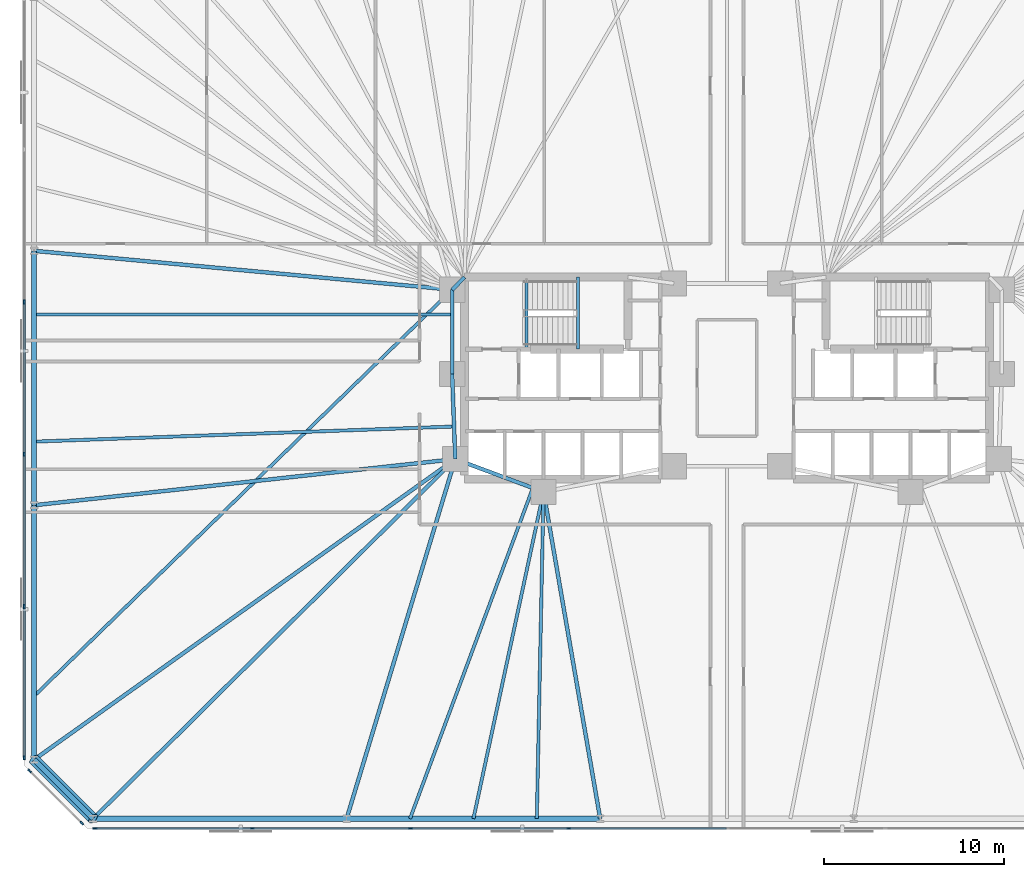
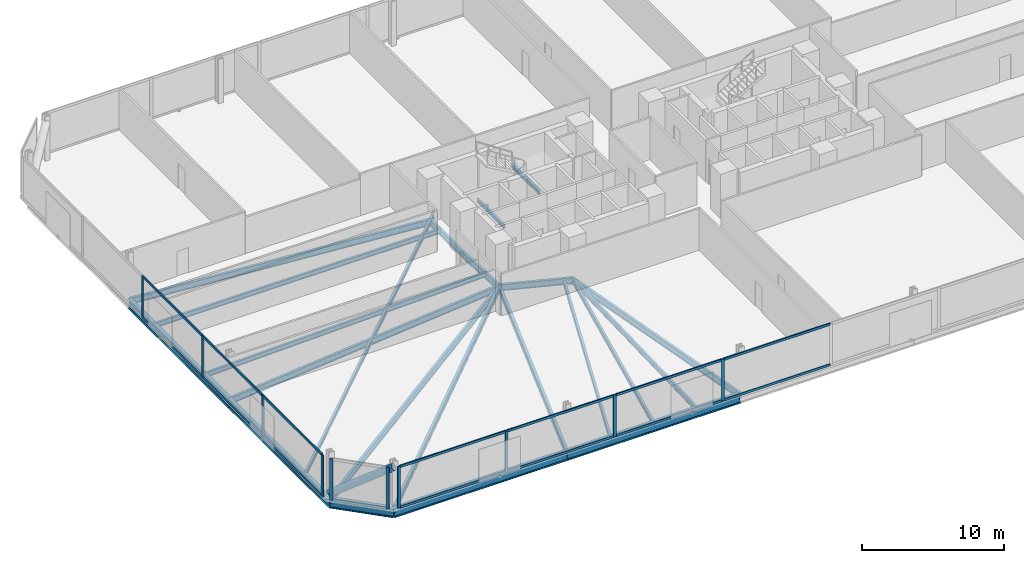
# One storey, part 6 of 16: 25 members, 23 beams, 3 elements without a shape of their own.
"""IFC4 building model written with IfcOpenShell, lengths in metres."""

from ifc_helpers import new_model, si_unit, direction, frame, origin, origin_2d, place, context, subcontext, project, spatial, rectangle, hollow_circle, i_section, extrude, material, material_profile, profile_set, type_object, element, aggregate, save


model = new_model("IFC4")

# Units and contexts
model_context = context("Model", 3, precision=1e-05, world=origin(), true_north=direction((0.0, 1.0)))
body_context = subcontext(model_context, "Body", "Model", "MODEL_VIEW")
ifc_project = project(units=[si_unit("LENGTHUNIT", "METRE"), si_unit("AREAUNIT", "SQUARE_METRE"), si_unit("VOLUMEUNIT", "CUBIC_METRE"), si_unit("PLANEANGLEUNIT", "RADIAN"), si_unit("MASSUNIT", "GRAM", prefix="KILO")], contexts=[model_context])

# Site, building, storey
site_placement = place(None, origin())
site = spatial("IfcSite", under=ifc_project, at=site_placement, CompositionType="ELEMENT")
building_placement = place(site_placement, origin())
building = spatial("IfcBuilding", under=site, at=building_placement, Name="Menara Jurai Vektor", CompositionType="ELEMENT")
storey_placement = place(building_placement, frame((0.0, 0.0, 59.800048828125)))
storey = spatial("IfcBuildingStorey", under=building, at=storey_placement, Name="L14", CompositionType="ELEMENT", Elevation=59.800048828125)

# Curtain wall, members
ifc_material_1 = material(Name="Anodised Pale Aluminium & Low-E Double Glazing", Category="aluminium")
curtain_wall_type = type_object("IfcCurtainWallType", Name="CW-BLK1", PredefinedType="NOTDEFINED", material=ifc_material_1)
curtain_wall_1_placement = place(storey_placement, origin())
curtain_wall_1 = element("IfcCurtainWall", 1, at=curtain_wall_1_placement, inside=storey, type_object=curtain_wall_type, Name="Unitised Curtain Wall L14 F01", PredefinedType="NOTDEFINED")
ifc_material_2 = material(Name="Anodised Pale Aluminium Mullion", Category="aluminium")
ifc_material_profile_1 = material_profile(ifc_material_2, rectangle(XDim=0.094970703125, YDim=0.239990234375, at=origin_2d()), Name="ALU MUL 95x240")
ifc_profile_set_1 = profile_set([ifc_material_profile_1], Name="Anodised Pale Aluminium Mullion")
member_type_1 = type_object("IfcMemberType", Name="CW-BLK1-MUL", PredefinedType="MULLION", material=ifc_profile_set_1)
member_1_placement = place(storey_placement, frame((-35.072509765625, -25.0, 0.0), z_axis=(0.0, 0.0, 1.0), x_axis=(0.0, 1.0, 0.0)))
member_1 = element("IfcMember", 2, at=member_1_placement, type_object=member_type_1, Name="CW-01 mullion 1", PredefinedType="MULLION", context=body_context, shape_type="SweptSolid", body=[
    extrude(rectangle(XDim=0.094970703125, YDim=0.239990234375, at=origin_2d()), origin(), (0.0, 0.0, 1.0), 3.574951171875),
])
member_2_placement = place(storey_placement, frame((-26.340087890625, -25.0, 0.0), z_axis=(0.0, 0.0, 1.0), x_axis=(0.0, 1.0, 0.0)))
member_2 = element("IfcMember", 3, at=member_2_placement, type_object=member_type_1, Name="CW-01 mullion 2", PredefinedType="MULLION", context=body_context, shape_type="SweptSolid", body=[
    extrude(rectangle(XDim=0.094970703125, YDim=0.239990234375, at=origin_2d()), origin(), (0.0, 0.0, 1.0), 3.574951171875),
])
member_3_placement = place(storey_placement, frame((-17.56005859375, -25.0, 0.0), z_axis=(0.0, 0.0, 1.0), x_axis=(0.0, 1.0, 0.0)))
member_3 = element("IfcMember", 4, at=member_3_placement, type_object=member_type_1, Name="CW-01 mullion 3", PredefinedType="MULLION", context=body_context, shape_type="SweptSolid", body=[
    extrude(rectangle(XDim=0.094970703125, YDim=0.239990234375, at=origin_2d()), origin(), (0.0, 0.0, 1.0), 3.574951171875),
])
member_4_placement = place(storey_placement, frame((-8.780029296875, -25.0, 0.0), z_axis=(0.0, 0.0, 1.0), x_axis=(0.0, 1.0, 0.0)))
member_4 = element("IfcMember", 5, at=member_4_placement, type_object=member_type_1, Name="CW-01 mullion 4", PredefinedType="MULLION", context=body_context, shape_type="SweptSolid", body=[
    extrude(rectangle(XDim=0.094970703125, YDim=0.239990234375, at=origin_2d()), origin(), (0.0, 0.0, 1.0), 3.574951171875),
])

curtain_wall_2_placement = place(storey_placement, origin())
curtain_wall_2 = element("IfcCurtainWall", 6, at=curtain_wall_2_placement, inside=storey, type_object=curtain_wall_type, Name="Unitised Curtain Wall L14 F07", PredefinedType="NOTDEFINED")
member_5_placement = place(storey_placement, frame((-39.0, 4.22412109375, 0.0), z_axis=(0.0, 0.0, 1.0), x_axis=(1.0, 0.0, 0.0)))
member_5 = element("IfcMember", 7, at=member_5_placement, type_object=member_type_1, Name="CW-01 mullion 3", PredefinedType="MULLION", context=body_context, shape_type="SweptSolid", body=[
    extrude(rectangle(XDim=0.094970703125, YDim=0.239990234375, at=origin_2d()), origin(), (0.0, 0.0, 1.0), 3.574951171875),
])
member_6_placement = place(storey_placement, frame((-39.0, -4.22412109375, 0.0), z_axis=(0.0, 0.0, 1.0), x_axis=(1.0, 0.0, 0.0)))
member_6 = element("IfcMember", 8, at=member_6_placement, type_object=member_type_1, Name="CW-01 mullion 4", PredefinedType="MULLION", context=body_context, shape_type="SweptSolid", body=[
    extrude(rectangle(XDim=0.094970703125, YDim=0.239990234375, at=origin_2d()), origin(), (0.0, 0.0, 1.0), 3.574951171875),
])
member_7_placement = place(storey_placement, frame((-39.0, -12.672119140625, 0.0), z_axis=(0.0, 0.0, 1.0), x_axis=(1.0, 0.0, 0.0)))
member_7 = element("IfcMember", 9, at=member_7_placement, type_object=member_type_1, Name="CW-01 mullion 5", PredefinedType="MULLION", context=body_context, shape_type="SweptSolid", body=[
    extrude(rectangle(XDim=0.094970703125, YDim=0.239990234375, at=origin_2d()), origin(), (0.0, 0.0, 1.0), 3.574951171875),
])
member_8_placement = place(storey_placement, frame((-39.0, -21.072509765625, 0.0), z_axis=(0.0, 0.0, 1.0), x_axis=(1.0, 0.0, 0.0)))
member_8 = element("IfcMember", 10, at=member_8_placement, type_object=member_type_1, Name="CW-01 mullion 6", PredefinedType="MULLION", context=body_context, shape_type="SweptSolid", body=[
    extrude(rectangle(XDim=0.094970703125, YDim=0.239990234375, at=origin_2d()), origin(), (0.0, 0.0, 1.0), 3.574951171875),
])

curtain_wall_3_placement = place(storey_placement, origin())
curtain_wall_3 = element("IfcCurtainWall", 11, at=curtain_wall_3_placement, inside=storey, type_object=curtain_wall_type, Name="Unitised Curtain Wall L14 F08", PredefinedType="NOTDEFINED")
member_9_placement = place(storey_placement, frame((-38.69775390625, -21.80224609375, 0.0), z_axis=(0.0, 0.0, 1.0), x_axis=(0.707106781187, 0.707106781187, 0.0)))
member_9 = element("IfcMember", 12, at=member_9_placement, type_object=member_type_1, Name="CW-01 mullion 1", PredefinedType="MULLION", context=body_context, shape_type="SweptSolid", body=[
    extrude(rectangle(XDim=0.094970703125, YDim=0.239990234375, at=origin_2d()), origin(), (0.0, 0.0, 1.0), 3.574951171875),
])
member_10_placement = place(storey_placement, frame((-35.80224609375, -24.69775390625, 0.0), z_axis=(0.0, 0.0, 1.0), x_axis=(0.707106781187, 0.707106781187, 0.0)))
member_10 = element("IfcMember", 13, at=member_10_placement, type_object=member_type_1, Name="CW-01 mullion 2", PredefinedType="MULLION", context=body_context, shape_type="SweptSolid", body=[
    extrude(rectangle(XDim=0.094970703125, YDim=0.239990234375, at=origin_2d()), origin(), (0.0, 0.0, 1.0), 3.574951171875),
])
aggregate(curtain_wall_3, [member_9, member_10])

# Member
ifc_material_3 = material(Name="Anodised Pale Aluminium Transom", Category="aluminium")
ifc_material_profile_2 = material_profile(ifc_material_3, rectangle(XDim=0.094970703125, YDim=0.199951171875, at=origin_2d()), Name="ALU TRN 95x200")
ifc_profile_set_2 = profile_set([ifc_material_profile_2], Name="Anodised Pale Aluminium Transom")
member_type_2 = type_object("IfcMemberType", Name="CW-BLK1-TRN", PredefinedType="USERDEFINED", material=ifc_profile_set_2)
member_11_placement = place(storey_placement, frame((-35.02490234375, -25.0, 0.04736328125), z_axis=(1.0, 0.0, 0.0), x_axis=(0.0, 1.0, 0.0)))
member_11 = element("IfcMember", 14, at=member_11_placement, type_object=member_type_2, Name="CW-01 transom 1.1", ObjectType="TRANSOM", PredefinedType="USERDEFINED", context=body_context, shape_type="SweptSolid", body=[
    extrude(rectangle(XDim=0.094970703125, YDim=0.199951171875, at=origin_2d()), origin(), (0.0, 0.0, 1.0), 8.637451171875),
])

member_12_placement = place(storey_placement, frame((-35.02490234375, -25.0, 3.52734375), z_axis=(1.0, 0.0, 0.0), x_axis=(0.0, 1.0, 0.0)))
member_12 = element("IfcMember", 15, at=member_12_placement, type_object=member_type_2, Name="CW-01 transom 1.2", ObjectType="TRANSOM", PredefinedType="USERDEFINED", context=body_context, shape_type="SweptSolid", body=[
    extrude(rectangle(XDim=0.094970703125, YDim=0.199951171875, at=origin_2d()), origin(), (0.0, 0.0, 1.0), 8.637451171875),
])

member_13_placement = place(storey_placement, frame((-26.29248046875, -25.0, 0.04736328125), z_axis=(1.0, 0.0, 0.0), x_axis=(0.0, 1.0, 0.0)))
member_13 = element("IfcMember", 16, at=member_13_placement, type_object=member_type_2, Name="CW-01 transom 2.1", ObjectType="TRANSOM", PredefinedType="USERDEFINED", context=body_context, shape_type="SweptSolid", body=[
    extrude(rectangle(XDim=0.094970703125, YDim=0.199951171875, at=origin_2d()), origin(), (0.0, 0.0, 1.0), 8.68505859375),
])

member_14_placement = place(storey_placement, frame((-26.29248046875, -25.0, 3.52734375), z_axis=(1.0, 0.0, 0.0), x_axis=(0.0, 1.0, 0.0)))
member_14 = element("IfcMember", 17, at=member_14_placement, type_object=member_type_2, Name="CW-01 transom 2.2", ObjectType="TRANSOM", PredefinedType="USERDEFINED", context=body_context, shape_type="SweptSolid", body=[
    extrude(rectangle(XDim=0.094970703125, YDim=0.199951171875, at=origin_2d()), origin(), (0.0, 0.0, 1.0), 8.68505859375),
])

member_15_placement = place(storey_placement, frame((-17.512451171875, -25.0, 0.04736328125), z_axis=(1.0, 0.0, 0.0), x_axis=(0.0, 1.0, 0.0)))
member_15 = element("IfcMember", 18, at=member_15_placement, type_object=member_type_2, Name="CW-01 transom 3.1", ObjectType="TRANSOM", PredefinedType="USERDEFINED", context=body_context, shape_type="SweptSolid", body=[
    extrude(rectangle(XDim=0.094970703125, YDim=0.199951171875, at=origin_2d()), origin(), (0.0, 0.0, 1.0), 8.68505859375),
])

member_16_placement = place(storey_placement, frame((-17.512451171875, -25.0, 3.52734375), z_axis=(1.0, 0.0, 0.0), x_axis=(0.0, 1.0, 0.0)))
member_16 = element("IfcMember", 19, at=member_16_placement, type_object=member_type_2, Name="CW-01 transom 3.2", ObjectType="TRANSOM", PredefinedType="USERDEFINED", context=body_context, shape_type="SweptSolid", body=[
    extrude(rectangle(XDim=0.094970703125, YDim=0.199951171875, at=origin_2d()), origin(), (0.0, 0.0, 1.0), 8.68505859375),
])

member_17_placement = place(storey_placement, frame((-8.732421875, -25.0, 0.04736328125), z_axis=(1.0, 0.0, 0.0), x_axis=(0.0, 1.0, 0.0)))
member_17 = element("IfcMember", 20, at=member_17_placement, type_object=member_type_2, Name="CW-01 transom 4.1", ObjectType="TRANSOM", PredefinedType="USERDEFINED", context=body_context, shape_type="SweptSolid", body=[
    extrude(rectangle(XDim=0.094970703125, YDim=0.199951171875, at=origin_2d()), origin(), (0.0, 0.0, 1.0), 8.684814453125),
])

member_18_placement = place(storey_placement, frame((-8.732421875, -25.0, 3.52734375), z_axis=(1.0, 0.0, 0.0), x_axis=(0.0, 1.0, 0.0)))
member_18 = element("IfcMember", 21, at=member_18_placement, type_object=member_type_2, Name="CW-01 transom 4.2", ObjectType="TRANSOM", PredefinedType="USERDEFINED", context=body_context, shape_type="SweptSolid", body=[
    extrude(rectangle(XDim=0.094970703125, YDim=0.199951171875, at=origin_2d()), origin(), (0.0, 0.0, 1.0), 8.684814453125),
])

aggregate(curtain_wall_1, [member_1, member_2, member_3, member_4, member_11, member_12, member_13, member_14, member_15, member_16, member_17, member_18])

member_19_placement = place(storey_placement, frame((-39.0, 4.176513671875, 0.04736328125), z_axis=(0.0, -1.0, 0.0), x_axis=(1.0, 0.0, 0.0)))
member_19 = element("IfcMember", 22, at=member_19_placement, type_object=member_type_2, Name="CW-01 transom 3.1", ObjectType="TRANSOM", PredefinedType="USERDEFINED", context=body_context, shape_type="SweptSolid", body=[
    extrude(rectangle(XDim=0.094970703125, YDim=0.199951171875, at=origin_2d()), origin(), (0.0, 0.0, 1.0), 8.35302734375),
])

member_20_placement = place(storey_placement, frame((-39.0, 4.176513671875, 3.52734375), z_axis=(0.0, -1.0, 0.0), x_axis=(1.0, 0.0, 0.0)))
member_20 = element("IfcMember", 23, at=member_20_placement, type_object=member_type_2, Name="CW-01 transom 3.2", ObjectType="TRANSOM", PredefinedType="USERDEFINED", context=body_context, shape_type="SweptSolid", body=[
    extrude(rectangle(XDim=0.094970703125, YDim=0.199951171875, at=origin_2d()), origin(), (0.0, 0.0, 1.0), 8.35302734375),
])

member_21_placement = place(storey_placement, frame((-39.0, -4.271484375, 0.04736328125), z_axis=(0.0, -1.0, 0.0), x_axis=(1.0, 0.0, 0.0)))
member_21 = element("IfcMember", 24, at=member_21_placement, type_object=member_type_2, Name="CW-01 transom 4.1", ObjectType="TRANSOM", PredefinedType="USERDEFINED", context=body_context, shape_type="SweptSolid", body=[
    extrude(rectangle(XDim=0.094970703125, YDim=0.199951171875, at=origin_2d()), origin(), (0.0, 0.0, 1.0), 8.35302734375),
])

member_22_placement = place(storey_placement, frame((-39.0, -4.271484375, 3.52734375), z_axis=(0.0, -1.0, 0.0), x_axis=(1.0, 0.0, 0.0)))
member_22 = element("IfcMember", 25, at=member_22_placement, type_object=member_type_2, Name="CW-01 transom 4.2", ObjectType="TRANSOM", PredefinedType="USERDEFINED", context=body_context, shape_type="SweptSolid", body=[
    extrude(rectangle(XDim=0.094970703125, YDim=0.199951171875, at=origin_2d()), origin(), (0.0, 0.0, 1.0), 8.35302734375),
])

member_23_placement = place(storey_placement, frame((-39.0, -12.719482421875, 0.04736328125), z_axis=(0.0, -1.0, 0.0), x_axis=(1.0, 0.0, 0.0)))
member_23 = element("IfcMember", 26, at=member_23_placement, type_object=member_type_2, Name="CW-01 transom 5.1", ObjectType="TRANSOM", PredefinedType="USERDEFINED", context=body_context, shape_type="SweptSolid", body=[
    extrude(rectangle(XDim=0.094970703125, YDim=0.199951171875, at=origin_2d()), origin(), (0.0, 0.0, 1.0), 8.305419921875),
])

member_24_placement = place(storey_placement, frame((-39.0, -12.719482421875, 3.52734375), z_axis=(0.0, -1.0, 0.0), x_axis=(1.0, 0.0, 0.0)))
member_24 = element("IfcMember", 27, at=member_24_placement, type_object=member_type_2, Name="CW-01 transom 5.2", ObjectType="TRANSOM", PredefinedType="USERDEFINED", context=body_context, shape_type="SweptSolid", body=[
    extrude(rectangle(XDim=0.094970703125, YDim=0.199951171875, at=origin_2d()), origin(), (0.0, 0.0, 1.0), 8.305419921875),
])

aggregate(curtain_wall_2, [member_5, member_6, member_7, member_8, member_19, member_20, member_21, member_22, member_23, member_24])

# Beams
ifc_material_4 = material(Name="Steel S355", Category="steel")
ifc_material_profile_3 = material_profile(ifc_material_4, i_section(OverallWidth=0.2109375, OverallDepth=0.5390625, WebThickness=0.011962890625, FlangeThickness=0.01904296875, FilletRadius=0.012939453125, at=origin_2d()), Name="UKB 533x210x109")
ifc_profile_set_3 = profile_set([ifc_material_profile_3], Name="Steel S355")
beam_type_1 = type_object("IfcBeamType", Name="STR-BM-533", PredefinedType="BEAM", material=ifc_profile_set_3)
beam_1_placement = place(storey_placement, frame((-15.25, 4.89990234375, -0.49462890625), z_axis=(0.701871936926, 0.712303154672, 0.0), x_axis=(-0.712303154672, 0.701871936926, 0.0)))
element("IfcBeam", 28, at=beam_1_placement, inside=storey, type_object=beam_type_1, Name="Core Ring Header Girder L14-CHW-N1", PredefinedType="BEAM", context=body_context, shape_type="SweptSolid", body=[
    extrude(i_section(OverallWidth=0.2109375, OverallDepth=0.5390625, WebThickness=0.011962890625, FlangeThickness=0.01904296875, FilletRadius=0.012939453125, at=origin_2d()), origin(), (0.0, 0.0, 1.0), 0.98291015625),
])
beam_2_placement = place(storey_placement, frame((-15.25, 0.219970703125, -0.49462890625), z_axis=(0.0, 1.0, 0.0), x_axis=(-1.0, 0.0, 0.0)))
element("IfcBeam", 29, at=beam_2_placement, inside=storey, type_object=beam_type_1, Name="Core Ring Header Girder L14-CHW-W1", PredefinedType="BEAM", context=body_context, shape_type="SweptSolid", body=[
    extrude(i_section(OverallWidth=0.2109375, OverallDepth=0.5390625, WebThickness=0.011962890625, FlangeThickness=0.01904296875, FilletRadius=0.012939453125, at=origin_2d()), origin(), (0.0, 0.0, 1.0), 4.679931640625),
])
beam_3_placement = place(storey_placement, frame((-15.080078125, -4.5, -0.49462890625), z_axis=(-0.035977314146, 0.999352606874, 0.0), x_axis=(-0.999352606874, -0.035977314146, 0.0)))
element("IfcBeam", 30, at=beam_3_placement, inside=storey, type_object=beam_type_1, Name="Core Ring Header Girder L14-CHW-W2", PredefinedType="BEAM", context=body_context, shape_type="SweptSolid", body=[
    extrude(i_section(OverallWidth=0.2109375, OverallDepth=0.5390625, WebThickness=0.011962890625, FlangeThickness=0.01904296875, FilletRadius=0.012939453125, at=origin_2d()), origin(), (0.0, 0.0, 1.0), 4.72314453125),
])
beam_4_placement = place(storey_placement, frame((-15.080078125, -4.5, -0.49462890625), z_axis=(0.937424400887, -0.348188874925, 0.0), x_axis=(0.348188874925, 0.937424400887, 0.0)))
element("IfcBeam", 31, at=beam_4_placement, inside=storey, type_object=beam_type_1, Name="Core Ring Header Girder L14-CHW-S1", PredefinedType="BEAM", context=body_context, shape_type="SweptSolid", body=[
    extrude(i_section(OverallWidth=0.2109375, OverallDepth=0.5390625, WebThickness=0.011962890625, FlangeThickness=0.01904296875, FilletRadius=0.012939453125, at=origin_2d()), origin(), (0.0, 0.0, 1.0), 5.227294921875),
])
beam_5_placement = place(storey_placement, frame((-35.177734375, -24.449951171875, -0.49462890625), z_axis=(0.709709931659, 0.704494011972, 0.0), x_axis=(-0.704494011972, 0.709709931659, 0.0)))
element("IfcBeam", 32, at=beam_5_placement, inside=storey, type_object=beam_type_1, Name="Radial Floor Girder L14-S1", PredefinedType="BEAM", context=body_context, shape_type="SweptSolid", body=[
    extrude(i_section(OverallWidth=0.2109375, OverallDepth=0.5390625, WebThickness=0.011962890625, FlangeThickness=0.01904296875, FilletRadius=0.012939453125, at=origin_2d()), origin(), (0.0, 0.0, 1.0), 28.318115234375),
])
beam_6_placement = place(storey_placement, frame((-21.106689453125, -24.449951171875, -0.49462890625), z_axis=(0.289179812203, 0.957274796604, 0.0), x_axis=(-0.957274796604, 0.289179812203, 0.0)))
element("IfcBeam", 33, at=beam_6_placement, inside=storey, type_object=beam_type_1, Name="Radial Floor Girder L14-S2", PredefinedType="BEAM", context=body_context, shape_type="SweptSolid", body=[
    extrude(i_section(OverallWidth=0.2109375, OverallDepth=0.5390625, WebThickness=0.011962890625, FlangeThickness=0.01904296875, FilletRadius=0.012939453125, at=origin_2d()), origin(), (0.0, 0.0, 1.0), 20.84033203125),
])
beam_7_placement = place(storey_placement, frame((-7.03564453125, -24.449951171875, -0.49462890625), z_axis=(-0.170880325642, 0.985291791455, 0.0), x_axis=(-0.985291791455, -0.170880325642, 0.0)))
element("IfcBeam", 34, at=beam_7_placement, inside=storey, type_object=beam_type_1, Name="Radial Floor Girder L14-S3", PredefinedType="BEAM", context=body_context, shape_type="SweptSolid", body=[
    extrude(i_section(OverallWidth=0.2109375, OverallDepth=0.5390625, WebThickness=0.011962890625, FlangeThickness=0.01904296875, FilletRadius=0.012939453125, at=origin_2d()), origin(), (0.0, 0.0, 1.0), 18.400634765625),
])
beam_8_placement = place(storey_placement, frame((-38.449951171875, 7.059326171875, -0.49462890625), z_axis=(0.995696113112, -0.092678208514, 0.0), x_axis=(0.092678208514, 0.995696113112, 0.0)))
element("IfcBeam", 35, at=beam_8_placement, inside=storey, type_object=beam_type_1, Name="Radial Floor Girder L14-W2", PredefinedType="BEAM", context=body_context, shape_type="SweptSolid", body=[
    extrude(i_section(OverallWidth=0.2109375, OverallDepth=0.5390625, WebThickness=0.011962890625, FlangeThickness=0.01904296875, FilletRadius=0.012939453125, at=origin_2d()), origin(), (0.0, 0.0, 1.0), 23.30029296875),
])
beam_9_placement = place(storey_placement, frame((-38.449951171875, -7.059326171875, -0.49462890625), z_axis=(0.994056757953, 0.108863042253, 0.0), x_axis=(-0.108863042253, 0.994056757953, 0.0)))
element("IfcBeam", 36, at=beam_9_placement, inside=storey, type_object=beam_type_1, Name="Radial Floor Girder L14-W3", PredefinedType="BEAM", context=body_context, shape_type="SweptSolid", body=[
    extrude(i_section(OverallWidth=0.2109375, OverallDepth=0.5390625, WebThickness=0.011962890625, FlangeThickness=0.01904296875, FilletRadius=0.012939453125, at=origin_2d()), origin(), (0.0, 0.0, 1.0), 23.509521484375),
])
beam_10_placement = place(storey_placement, frame((-38.449951171875, -21.177734375, -0.49462890625), z_axis=(0.813981033216, 0.580891450759, 0.0), x_axis=(-0.580891450759, 0.813981033216, 0.0)))
element("IfcBeam", 37, at=beam_10_placement, inside=storey, type_object=beam_type_1, Name="Radial Floor Girder L14-W4", PredefinedType="BEAM", context=body_context, shape_type="SweptSolid", body=[
    extrude(i_section(OverallWidth=0.2109375, OverallDepth=0.5390625, WebThickness=0.011962890625, FlangeThickness=0.01904296875, FilletRadius=0.012939453125, at=origin_2d()), origin(), (0.0, 0.0, 1.0), 28.710693359375),
])

# Member
ifc_material_5 = material(Name="Steel S460", Category="steel")
ifc_material_profile_4 = material_profile(ifc_material_5, hollow_circle(Radius=0.304931640625, WallThickness=0.02490234375, at=origin_2d()), Name="CHS 610x25")
ifc_profile_set_4 = profile_set([ifc_material_profile_4], Name="Steel S460")
member_type_3 = type_object("IfcMemberType", Name="STR-BR-610", PredefinedType="BRACE", material=ifc_profile_set_4)
member_25_placement = place(storey_placement, frame((-38.449951171875, -21.177734375, 0.14990234375), z_axis=(0.588942422958, -0.588942422958, 0.553438022619), x_axis=(0.707106781187, 0.707106781187, 0.0)))
element("IfcMember", 38, at=member_25_placement, inside=storey, type_object=member_type_3, Name="Exoskeleton Corner Brace L14-4", PredefinedType="BRACE", context=body_context, shape_type="SweptSolid", body=[
    extrude(hollow_circle(Radius=0.304931640625, WallThickness=0.02490234375, at=origin_2d()), origin(), (0.0, 0.0, 1.0), 5.55615234375),
])

# Beams
ifc_material_profile_5 = material_profile(ifc_material_4, i_section(OverallWidth=0.178955078125, OverallDepth=0.408935546875, WebThickness=0.009033203125, FlangeThickness=0.013916015625, FilletRadius=0.010009765625, at=origin_2d()), Name="UKB 406x178x67")
ifc_profile_set_5 = profile_set([ifc_material_profile_5], Name="Steel S355")
beam_type_2 = type_object("IfcBeamType", Name="STR-JS-406", PredefinedType="JOIST", material=ifc_profile_set_5)
beam_11_placement = place(storey_placement, frame((-17.5888671875, -24.449951171875, -0.429443359375), z_axis=(0.348179014223, 0.937428063403, 0.0), x_axis=(-0.937428063403, 0.348179014223, 0.0)))
element("IfcBeam", 39, at=beam_11_placement, inside=storey, type_object=beam_type_2, Name="Radial Secondary Floor Joist L14-JS01", PredefinedType="JOIST", context=body_context, shape_type="SweptSolid", body=[
    extrude(i_section(OverallWidth=0.178955078125, OverallDepth=0.408935546875, WebThickness=0.009033203125, FlangeThickness=0.013916015625, FilletRadius=0.010009765625, at=origin_2d()), origin(), (0.0, 0.0, 1.0), 19.5751953125),
])
beam_12_placement = place(storey_placement, frame((-14.071044921875, -24.449951171875, -0.429443359375), z_axis=(0.209845584412, 0.977734539997, 0.0), x_axis=(-0.977734539997, 0.209845584412, 0.0)))
element("IfcBeam", 40, at=beam_12_placement, inside=storey, type_object=beam_type_2, Name="Radial Secondary Floor Joist L14-JS02", PredefinedType="JOIST", context=body_context, shape_type="SweptSolid", body=[
    extrude(i_section(OverallWidth=0.178955078125, OverallDepth=0.408935546875, WebThickness=0.009033203125, FlangeThickness=0.013916015625, FilletRadius=0.010009765625, at=origin_2d()), origin(), (0.0, 0.0, 1.0), 18.542724609375),
])
beam_13_placement = place(storey_placement, frame((-10.55322265625, -24.449951171875, -0.429443359375), z_axis=(0.020585456509, 0.999788097039, 0.0), x_axis=(-0.999788097039, 0.020585456509, 0.0)))
element("IfcBeam", 41, at=beam_13_placement, inside=storey, type_object=beam_type_2, Name="Radial Secondary Floor Joist L14-JS03", PredefinedType="JOIST", context=body_context, shape_type="SweptSolid", body=[
    extrude(i_section(OverallWidth=0.178955078125, OverallDepth=0.408935546875, WebThickness=0.009033203125, FlangeThickness=0.013916015625, FilletRadius=0.010009765625, at=origin_2d()), origin(), (0.0, 0.0, 1.0), 18.1337890625),
])
beam_14_placement = place(storey_placement, frame((-38.449951171875, 3.529541015625, -0.429443359375), z_axis=(1.0, 0.0, 0.0), x_axis=(0.0, 1.0, 0.0)))
element("IfcBeam", 42, at=beam_14_placement, inside=storey, type_object=beam_type_2, Name="Radial Secondary Floor Joist L14-JS35", PredefinedType="JOIST", context=body_context, shape_type="SweptSolid", body=[
    extrude(i_section(OverallWidth=0.178955078125, OverallDepth=0.408935546875, WebThickness=0.009033203125, FlangeThickness=0.013916015625, FilletRadius=0.010009765625, at=origin_2d()), origin(), (0.0, 0.0, 1.0), 23.199951171875),
])
beam_15_placement = place(storey_placement, frame((-38.449951171875, -3.529541015625, -0.429443359375), z_axis=(0.999352032814, 0.035993256462, 0.0), x_axis=(-0.035993256462, 0.999352032814, 0.0)))
element("IfcBeam", 43, at=beam_15_placement, inside=storey, type_object=beam_type_2, Name="Radial Secondary Floor Joist L14-JS36", PredefinedType="JOIST", context=body_context, shape_type="SweptSolid", body=[
    extrude(i_section(OverallWidth=0.178955078125, OverallDepth=0.408935546875, WebThickness=0.009033203125, FlangeThickness=0.013916015625, FilletRadius=0.010009765625, at=origin_2d()), origin(), (0.0, 0.0, 1.0), 23.31982421875),
])
beam_16_placement = place(storey_placement, frame((-38.449951171875, -17.648193359375, -0.429443359375), z_axis=(0.71710942187, 0.696960599363, 0.0), x_axis=(-0.696960599363, 0.71710942187, 0.0)))
element("IfcBeam", 44, at=beam_16_placement, inside=storey, type_object=beam_type_2, Name="Radial Secondary Floor Joist L14-JS37", PredefinedType="JOIST", context=body_context, shape_type="SweptSolid", body=[
    extrude(i_section(OverallWidth=0.178955078125, OverallDepth=0.408935546875, WebThickness=0.009033203125, FlangeThickness=0.013916015625, FilletRadius=0.010009765625, at=origin_2d()), origin(), (0.0, 0.0, 1.0), 32.35205078125),
])
ifc_material_profile_6 = material_profile(ifc_material_4, i_section(OverallWidth=0.1650390625, OverallDepth=0.302978515625, WebThickness=0.006103515625, FlangeThickness=0.010009765625, FilletRadius=0.009033203125, at=origin_2d()), Name="UKB 305x165x40")
ifc_profile_set_6 = profile_set([ifc_material_profile_6], Name="Steel S355")
beam_type_3 = type_object("IfcBeamType", Name="STR-LN-305", PredefinedType="LINTEL", material=ifc_profile_set_6)
beam_17_placement = place(storey_placement, frame((-11.1201171875, 1.60009765625, -0.37646484375), z_axis=(0.0, 1.0, 0.0), x_axis=(-1.0, 0.0, 0.0)))
element("IfcBeam", 45, at=beam_17_placement, inside=storey, type_object=beam_type_3, Name="Stair Well Floor Trimmer ST1 L14", PredefinedType="LINTEL", context=body_context, shape_type="SweptSolid", body=[
    extrude(i_section(OverallWidth=0.1650390625, OverallDepth=0.302978515625, WebThickness=0.006103515625, FlangeThickness=0.010009765625, FilletRadius=0.009033203125, at=origin_2d()), origin(), (0.0, 0.0, 1.0), 3.81982421875),
])
beam_18_placement = place(storey_placement, frame((-8.27001953125, 1.60009765625, 1.54833984375), z_axis=(0.0, 1.0, 0.0), x_axis=(-1.0, 0.0, 0.0)))
element("IfcBeam", 46, at=beam_18_placement, inside=storey, type_object=beam_type_3, Name="Stair Half-Landing Nosing Trimmer ST1-1 L14", PredefinedType="LINTEL", context=body_context, shape_type="SweptSolid", body=[
    extrude(i_section(OverallWidth=0.1650390625, OverallDepth=0.302978515625, WebThickness=0.006103515625, FlangeThickness=0.010009765625, FilletRadius=0.009033203125, at=origin_2d()), origin(), (0.0, 0.0, 1.0), 4.0),
])
ifc_material_profile_7 = material_profile(ifc_material_5, i_section(OverallWidth=0.2939453125, OverallDepth=0.85107421875, WebThickness=0.01611328125, FlangeThickness=0.027099609375, FilletRadius=0.01806640625, at=origin_2d()), Name="UKB 838x292x226")
ifc_profile_set_7 = profile_set([ifc_material_profile_7], Name="Steel S460")
beam_type_4 = type_object("IfcBeamType", Name="STR-SP-838", PredefinedType="SPANDREL", material=ifc_profile_set_7)
for number, where, z_axis, x_axis, name in (
    (47, (-35.177734375, -24.449951171875, -0.650634765625), (1.0, 0.0, 0.0), (0.0, 1.0, 0.0), "Exoskeleton Spandrel Beam L14-01"),
    (48, (-21.106689453125, -24.449951171875, -0.650634765625), (1.0, 0.0, 0.0), (0.0, 1.0, 0.0), "Exoskeleton Spandrel Beam L14-02"),
):
    element("IfcBeam", number, at=place(storey_placement, frame(where, z_axis=z_axis, x_axis=x_axis)), inside=storey, type_object=beam_type_4, Name=name, PredefinedType="SPANDREL", context=body_context, shape_type="SweptSolid", body=[
        extrude(i_section(OverallWidth=0.2939453125, OverallDepth=0.85107421875, WebThickness=0.01611328125, FlangeThickness=0.027099609375, FilletRadius=0.01806640625, at=origin_2d()), origin(), (0.0, 0.0, 1.0), 14.071044921875),
    ])
beam_19_placement = place(storey_placement, frame((-38.449951171875, 7.059326171875, -0.650634765625), z_axis=(0.0, -1.0, 0.0), x_axis=(1.0, 0.0, 0.0)))
element("IfcBeam", 49, at=beam_19_placement, inside=storey, type_object=beam_type_4, Name="Exoskeleton Spandrel Beam L14-18", PredefinedType="SPANDREL", context=body_context, shape_type="SweptSolid", body=[
    extrude(i_section(OverallWidth=0.2939453125, OverallDepth=0.85107421875, WebThickness=0.01611328125, FlangeThickness=0.027099609375, FilletRadius=0.01806640625, at=origin_2d()), origin(), (0.0, 0.0, 1.0), 14.11865234375),
])
beam_20_placement = place(storey_placement, frame((-38.449951171875, -7.059326171875, -0.650634765625), z_axis=(0.0, -1.0, 0.0), x_axis=(1.0, 0.0, 0.0)))
element("IfcBeam", 50, at=beam_20_placement, inside=storey, type_object=beam_type_4, Name="Exoskeleton Spandrel Beam L14-19", PredefinedType="SPANDREL", context=body_context, shape_type="SweptSolid", body=[
    extrude(i_section(OverallWidth=0.2939453125, OverallDepth=0.85107421875, WebThickness=0.01611328125, FlangeThickness=0.027099609375, FilletRadius=0.01806640625, at=origin_2d()), origin(), (0.0, 0.0, 1.0), 14.118408203125),
])
beam_21_placement = place(storey_placement, frame((-38.449951171875, -21.177734375, -0.650634765625), z_axis=(0.707106781187, -0.707106781187, 0.0), x_axis=(0.707106781187, 0.707106781187, 0.0)))
element("IfcBeam", 51, at=beam_21_placement, inside=storey, type_object=beam_type_4, Name="Exoskeleton Spandrel Beam L14-20", PredefinedType="SPANDREL", context=body_context, shape_type="SweptSolid", body=[
    extrude(i_section(OverallWidth=0.2939453125, OverallDepth=0.85107421875, WebThickness=0.01611328125, FlangeThickness=0.027099609375, FilletRadius=0.01806640625, at=origin_2d()), origin(), (0.0, 0.0, 1.0), 4.627685546875),
])

save(model, "model.ifc")
